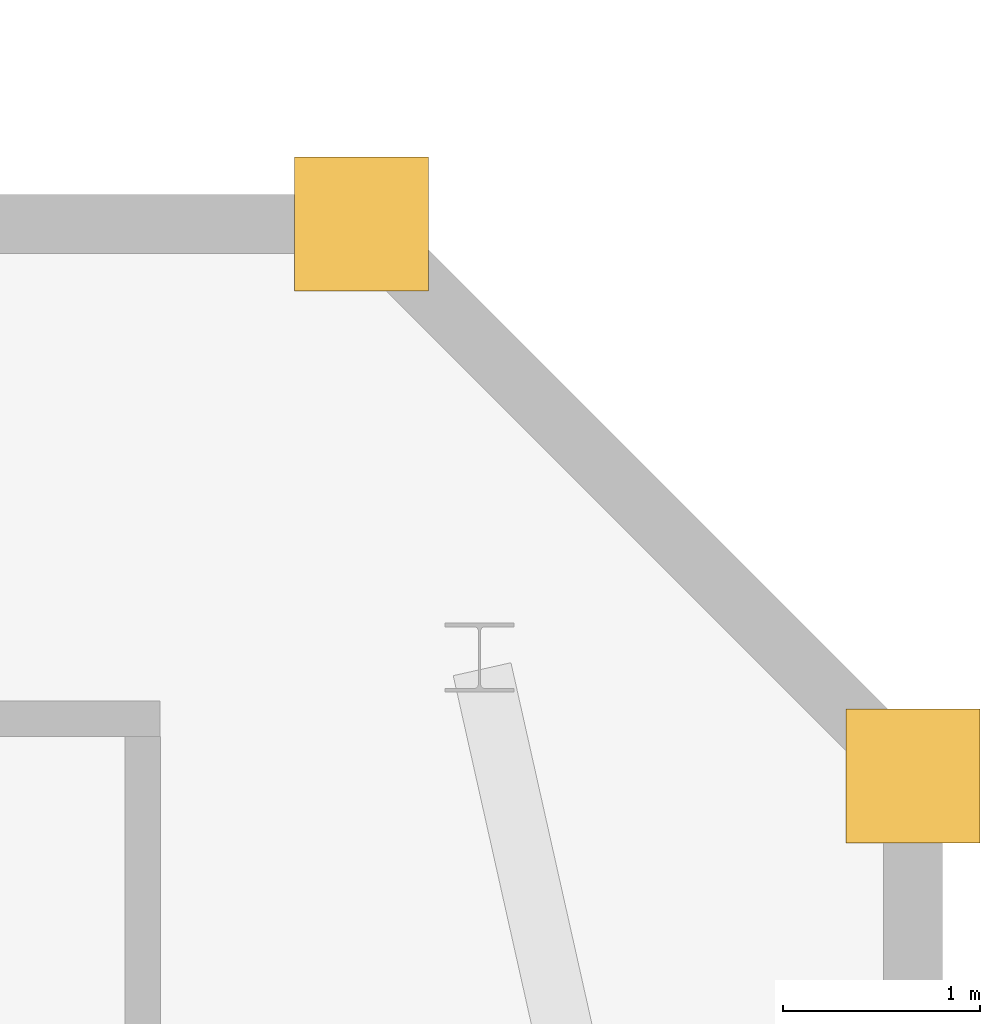
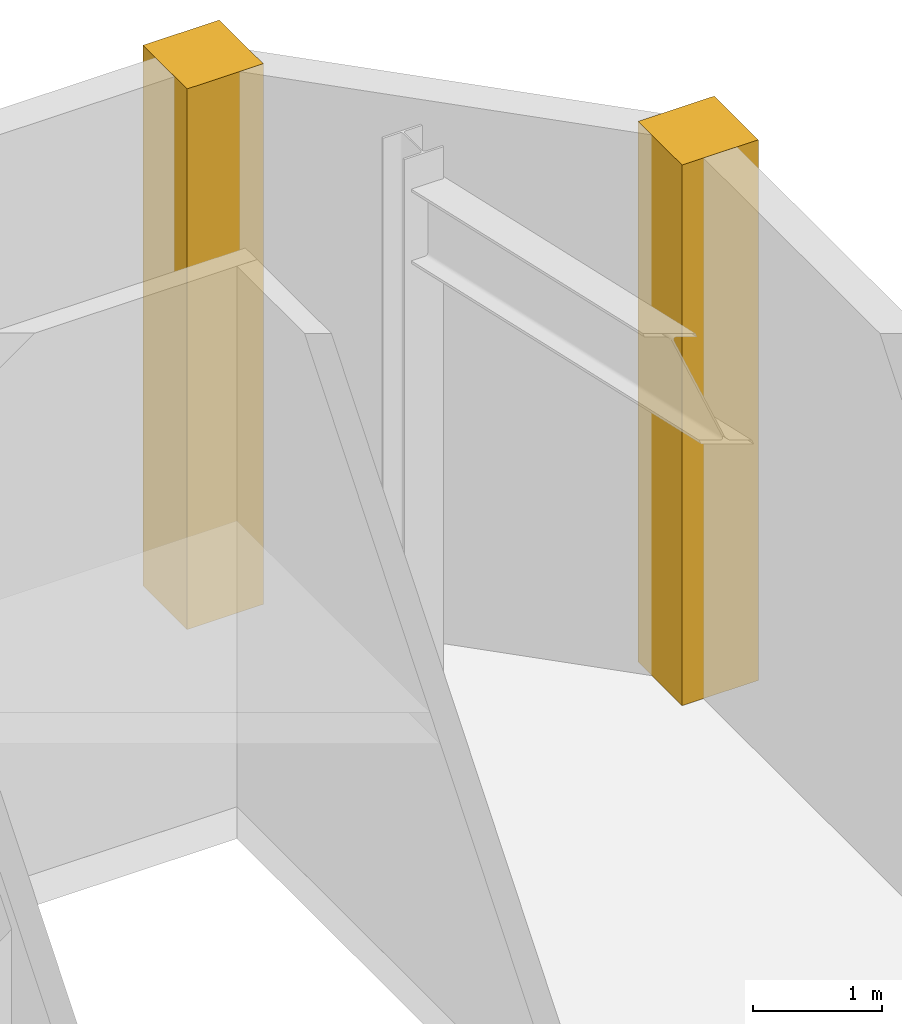
# One storey, part 51 of 51: 2 coverings.
"""IFC4 building model written with IfcOpenShell, lengths in metres."""

from ifc_helpers import new_model, si_unit, direction, frame, origin, place, context, subcontext, project, spatial, polyline, outline, extrude, material, layer, layer_set, type_object, element, save


model = new_model("IFC4")

# Units and contexts
model_context = context("Model", 3, precision=1e-05, world=origin(), true_north=direction((0.0, 1.0)))
body_context = subcontext(model_context, "Body", "Model", "MODEL_VIEW")
ifc_project = project(units=[si_unit("LENGTHUNIT", "METRE"), si_unit("AREAUNIT", "SQUARE_METRE"), si_unit("VOLUMEUNIT", "CUBIC_METRE"), si_unit("PLANEANGLEUNIT", "RADIAN"), si_unit("MASSUNIT", "GRAM", prefix="KILO")], contexts=[model_context])

# Site, building, storey
site_placement = place(None, origin())
site = spatial("IfcSite", under=ifc_project, at=site_placement, CompositionType="ELEMENT")
building_placement = place(site_placement, origin())
building = spatial("IfcBuilding", under=site, at=building_placement, Name="Saevonmaru Cultural Tower", CompositionType="ELEMENT")
storey_placement = place(building_placement, frame((0.0, 0.0, 6.0)))
storey = spatial("IfcBuildingStorey", under=building, at=storey_placement, Name="L01", CompositionType="ELEMENT", Elevation=6.0)

# Coverings
ifc_material = material(Name="Satin Bronze Anodised Aluminium", Category="aluminium")
ifc_layer = layer(ifc_material, 0.679931640625, Name="Satin Bronze Anodised Aluminium")
ifc_layer_set = layer_set([ifc_layer], Name="Satin Bronze Anodised Aluminium")
covering_type = type_object("IfcCoveringType", Name="CV-CORNER-CLAD", PredefinedType="CLADDING", material=ifc_layer_set)
covering_1_placement = place(storey_placement, origin())
element("IfcCovering", 1, at=covering_1_placement, inside=storey, type_object=covering_type, Name="L01 Library Bronze Corner Cladding Pier 5", PredefinedType="CLADDING", context=body_context, shape_type="SweptSolid", body=[
    extrude(outline(polyline([(107.860107421875, 44.860107421875), (108.5400390625, 44.860107421875), (108.5400390625, 45.5400390625), (107.860107421875, 45.5400390625), (107.860107421875, 44.860107421875)])), origin(), (0.0, 0.0, 1.0), 5.10009765625),
])
covering_2_placement = place(storey_placement, origin())
element("IfcCovering", 2, at=covering_2_placement, inside=storey, type_object=covering_type, Name="L01 Library Bronze Corner Cladding Pier 6", PredefinedType="CLADDING", context=body_context, shape_type="SweptSolid", body=[
    extrude(outline(polyline([(105.06005859375, 47.659912109375), (105.739990234375, 47.659912109375), (105.739990234375, 48.340087890625), (105.06005859375, 48.340087890625), (105.06005859375, 47.659912109375)])), origin(), (0.0, 0.0, 1.0), 5.10009765625),
])

save(model, "model.ifc")
